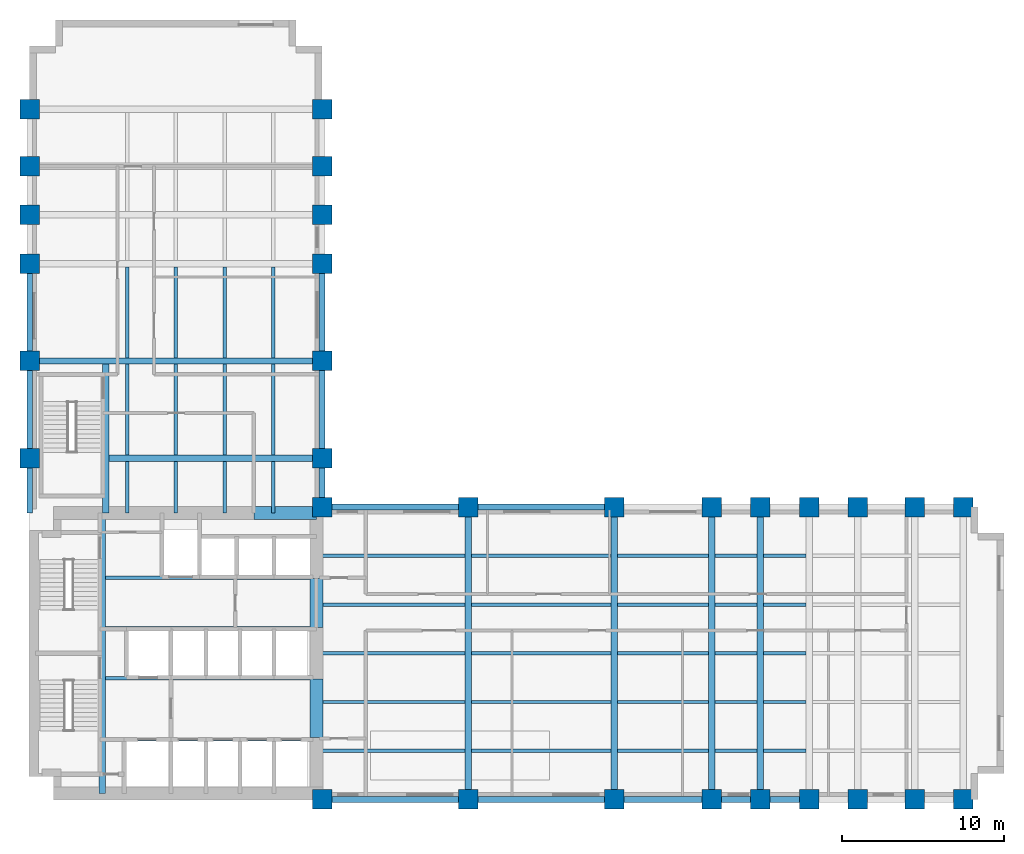
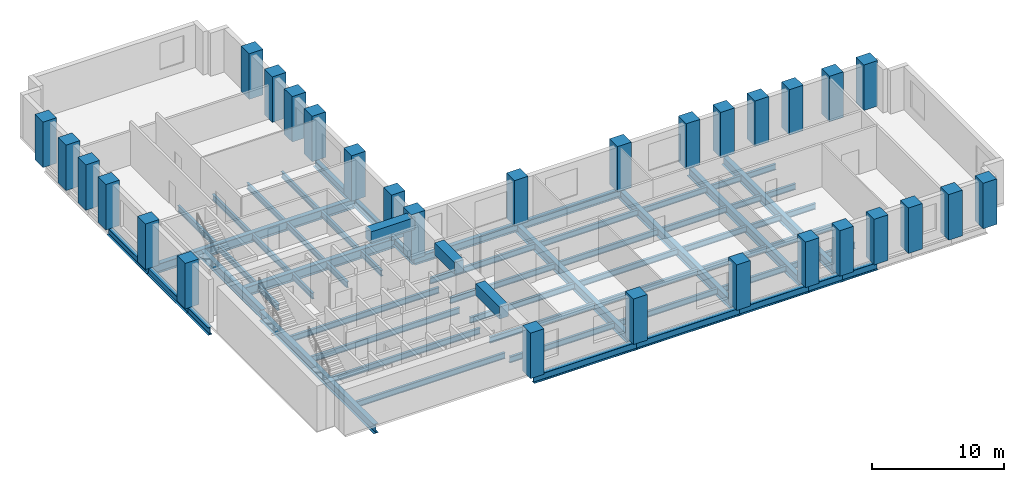
# One storey, part 1 of 7: 65 beams, 30 columns.
"""IFC4 building model written with IfcOpenShell, lengths in metres."""

from ifc_helpers import new_model, si_unit, direction, frame, origin, origin_2d, place, context, subcontext, project, spatial, rectangle, i_section, extrude, material, material_profile, profile_set, type_object, element, save


model = new_model("IFC4")

# Units and contexts
model_context = context("Model", 3, precision=1e-05, world=origin(), true_north=direction((0.0, 1.0)))
body_context = subcontext(model_context, "Body", "Model", "MODEL_VIEW")
ifc_project = project(units=[si_unit("LENGTHUNIT", "METRE"), si_unit("AREAUNIT", "SQUARE_METRE"), si_unit("VOLUMEUNIT", "CUBIC_METRE"), si_unit("PLANEANGLEUNIT", "RADIAN"), si_unit("MASSUNIT", "GRAM", prefix="KILO")], contexts=[model_context])

# Site, building, storey
site_placement = place(None, origin())
site = spatial("IfcSite", under=ifc_project, at=site_placement, CompositionType="ELEMENT")
building_placement = place(site_placement, origin())
building = spatial("IfcBuilding", under=site, at=building_placement, Name="Mawjdan Bourse Tower", CompositionType="ELEMENT")
storey_placement = place(building_placement, frame((0.0, 0.0, 42.60009765625)))
storey = spatial("IfcBuildingStorey", under=building, at=storey_placement, Name="L09", CompositionType="ELEMENT", Elevation=42.60009765625)

# Columns
ifc_material_1 = material(Name="Concrete C80/95", Category="concrete")
ifc_material_profile_1 = material_profile(ifc_material_1, rectangle(XDim=1.199951171875, YDim=1.199951171875, at=origin_2d()), Name="RC1200X1200")
ifc_profile_set_1 = profile_set([ifc_material_profile_1], Name="Concrete C80/95")
column_type = type_object("IfcColumnType", Name="COL-RC1200X1200", PredefinedType="COLUMN", material=ifc_profile_set_1)
for number, where, z_axis, x_axis, name in (
    (1, (24.0, 3.0, 0.0), (0.0, 0.0, 1.0), (1.0, 0.0, 0.0), "L09 Structural Column C-X240-Y30"),
    (2, (24.0, 21.0, 0.0), (0.0, 0.0, 1.0), (1.0, 0.0, 0.0), "L09 Structural Column C-X240-Y210"),
    (3, (33.0, 3.0, 0.0), (0.0, 0.0, 1.0), (1.0, 0.0, 0.0), "L09 Structural Column C-X330-Y30"),
    (4, (33.0, 21.0, 0.0), (0.0, 0.0, 1.0), (1.0, 0.0, 0.0), "L09 Structural Column C-X330-Y210"),
    (5, (42.0, 3.0, 0.0), (0.0, 0.0, 1.0), (1.0, 0.0, 0.0), "L09 Structural Column C-X420-Y30"),
    (6, (42.0, 21.0, 0.0), (0.0, 0.0, 1.0), (1.0, 0.0, 0.0), "L09 Structural Column C-X420-Y210"),
    (7, (48.0, 3.0, 0.0), (0.0, 0.0, 1.0), (1.0, 0.0, 0.0), "L09 Structural Column C-X480-Y30"),
    (8, (48.0, 21.0, 0.0), (0.0, 0.0, 1.0), (1.0, 0.0, 0.0), "L09 Structural Column C-X480-Y210"),
    (9, (51.0, 3.0, 0.0), (0.0, 0.0, 1.0), (1.0, 0.0, 0.0), "L09 Structural Column C-X510-Y30"),
    (10, (51.0, 21.0, 0.0), (0.0, 0.0, 1.0), (1.0, 0.0, 0.0), "L09 Structural Column C-X510-Y210"),
    (11, (54.0, 3.0, 0.0), (0.0, 0.0, 1.0), (1.0, 0.0, 0.0), "L09 Structural Column C-X540-Y30"),
    (12, (54.0, 21.0, 0.0), (0.0, 0.0, 1.0), (1.0, 0.0, 0.0), "L09 Structural Column C-X540-Y210"),
    (13, (57.0, 3.0, 0.0), (0.0, 0.0, 1.0), (1.0, 0.0, 0.0), "L09 Structural Column C-X570-Y30"),
    (14, (57.0, 21.0, 0.0), (0.0, 0.0, 1.0), (1.0, 0.0, 0.0), "L09 Structural Column C-X570-Y210"),
    (15, (60.5, 3.0, 0.0), (0.0, 0.0, 1.0), (1.0, 0.0, 0.0), "L09 Structural Column C-X605-Y30"),
    (16, (60.5, 21.0, 0.0), (0.0, 0.0, 1.0), (1.0, 0.0, 0.0), "L09 Structural Column C-X605-Y210"),
    (17, (63.5, 3.0, 0.0), (0.0, 0.0, 1.0), (1.0, 0.0, 0.0), "L09 Structural Column C-X635-Y30"),
    (18, (63.5, 21.0, 0.0), (0.0, 0.0, 1.0), (1.0, 0.0, 0.0), "L09 Structural Column C-X635-Y210"),
    (19, (6.0, 24.0, 0.0), (0.0, 0.0, 1.0), (1.0, 0.0, 0.0), "L09 Structural Column C-X60-Y240"),
    (20, (24.0, 24.0, 0.0), (0.0, 0.0, 1.0), (1.0, 0.0, 0.0), "L09 Structural Column C-X240-Y240"),
    (21, (6.0, 30.0, 0.0), (0.0, 0.0, 1.0), (1.0, 0.0, 0.0), "L09 Structural Column C-X60-Y300"),
    (22, (24.0, 30.0, 0.0), (0.0, 0.0, 1.0), (1.0, 0.0, 0.0), "L09 Structural Column C-X240-Y300"),
    (23, (6.0, 36.0, 0.0), (0.0, 0.0, 1.0), (1.0, 0.0, 0.0), "L09 Structural Column C-X60-Y360"),
    (24, (24.0, 36.0, 0.0), (0.0, 0.0, 1.0), (1.0, 0.0, 0.0), "L09 Structural Column C-X240-Y360"),
    (25, (6.0, 39.0, 0.0), (0.0, 0.0, 1.0), (1.0, 0.0, 0.0), "L09 Structural Column C-X60-Y390"),
    (26, (24.0, 39.0, 0.0), (0.0, 0.0, 1.0), (1.0, 0.0, 0.0), "L09 Structural Column C-X240-Y390"),
    (27, (6.0, 42.0, 0.0), (0.0, 0.0, 1.0), (1.0, 0.0, 0.0), "L09 Structural Column C-X60-Y420"),
    (28, (24.0, 42.0, 0.0), (0.0, 0.0, 1.0), (1.0, 0.0, 0.0), "L09 Structural Column C-X240-Y420"),
    (29, (6.0, 45.5, 0.0), (0.0, 0.0, 1.0), (1.0, 0.0, 0.0), "L09 Structural Column C-X60-Y455"),
    (30, (24.0, 45.5, 0.0), (0.0, 0.0, 1.0), (1.0, 0.0, 0.0), "L09 Structural Column C-X240-Y455"),
):
    element("IfcColumn", number, at=place(storey_placement, frame(where, z_axis=z_axis, x_axis=x_axis)), inside=storey, type_object=column_type, Name=name, PredefinedType="COLUMN", context=body_context, shape_type="SweptSolid", body=[
        extrude(rectangle(XDim=1.199951171875, YDim=1.199951171875, at=origin_2d()), origin(), (0.0, 0.0, 1.0), 4.199951171875),
    ])

# Beams
ifc_material_2 = material(Name="Structural Steel S355", Category="steel")
ifc_material_profile_2 = material_profile(ifc_material_2, i_section(OverallWidth=0.39892578125, OverallDepth=0.85595703125, WebThickness=0.018310546875, FlangeThickness=0.029296875, FilletRadius=0.0234375, at=origin_2d()), Name="W33X201")
ifc_profile_set_2 = profile_set([ifc_material_profile_2], Name="Structural Steel S355")
beam_type_1 = type_object("IfcBeamType", Name="GRD-W33X201", PredefinedType="BEAM", material=ifc_profile_set_2)
beam_1_placement = place(storey_placement, frame((10.47998046875, 3.35009765625, -0.648193359375), z_axis=(0.0, 1.0, 0.0), x_axis=(-1.0, 0.0, 0.0)))
element("IfcBeam", 31, at=beam_1_placement, inside=storey, type_object=beam_type_1, Name="L09 Core Stair Trimmer Girder 001", PredefinedType="BEAM", context=body_context, shape_type="SweptSolid", body=[
    extrude(i_section(OverallWidth=0.39892578125, OverallDepth=0.85595703125, WebThickness=0.018310546875, FlangeThickness=0.029296875, FilletRadius=0.0234375, at=origin_2d()), origin(), (0.0, 0.0, 1.0), 17.2998046875),
])
for number, where, z_axis, x_axis, name in (
    (32, (33.0, 3.0, -0.648193359375), (0.0, 1.0, 0.0), (-1.0, 0.0, 0.0), "L09 East Wing Clear-Span Girder 002"),
    (33, (42.0, 3.0, -0.648193359375), (0.0, 1.0, 0.0), (-1.0, 0.0, 0.0), "L09 East Wing Clear-Span Girder 003"),
    (34, (48.0, 3.0, -0.648193359375), (0.0, 1.0, 0.0), (-1.0, 0.0, 0.0), "L09 East Wing Clear-Span Girder 004"),
    (35, (51.0, 3.0, -0.648193359375), (0.0, 1.0, 0.0), (-1.0, 0.0, 0.0), "L09 East Wing Clear-Span Girder 005"),
):
    element("IfcBeam", number, at=place(storey_placement, frame(where, z_axis=z_axis, x_axis=x_axis)), inside=storey, type_object=beam_type_1, Name=name, PredefinedType="BEAM", context=body_context, shape_type="SweptSolid", body=[
        extrude(i_section(OverallWidth=0.39892578125, OverallDepth=0.85595703125, WebThickness=0.018310546875, FlangeThickness=0.029296875, FilletRadius=0.0234375, at=origin_2d()), origin(), (0.0, 0.0, 1.0), 18.0),
    ])
beam_2_placement = place(storey_placement, frame((10.679931640625, 20.64990234375, -0.648193359375), z_axis=(0.0, 1.0, 0.0), x_axis=(-1.0, 0.0, 0.0)))
element("IfcBeam", 36, at=beam_2_placement, inside=storey, type_object=beam_type_1, Name="L09 North Wing Stair Trimmer Girder 070", PredefinedType="BEAM", context=body_context, shape_type="SweptSolid", body=[
    extrude(i_section(OverallWidth=0.39892578125, OverallDepth=0.85595703125, WebThickness=0.018310546875, FlangeThickness=0.029296875, FilletRadius=0.0234375, at=origin_2d()), origin(), (0.0, 0.0, 1.0), 9.152587890625),
])
beam_3_placement = place(storey_placement, frame((10.87744140625, 24.0, -0.648193359375), z_axis=(1.0, 0.0, 0.0), x_axis=(0.0, 1.0, 0.0)))
element("IfcBeam", 37, at=beam_3_placement, inside=storey, type_object=beam_type_1, Name="L09 North Wing Clear-Span Girder 071", PredefinedType="BEAM", context=body_context, shape_type="SweptSolid", body=[
    extrude(i_section(OverallWidth=0.39892578125, OverallDepth=0.85595703125, WebThickness=0.018310546875, FlangeThickness=0.029296875, FilletRadius=0.0234375, at=origin_2d()), origin(), (0.0, 0.0, 1.0), 13.12255859375),
])
beam_4_placement = place(storey_placement, frame((6.0, 30.0, -0.648193359375), z_axis=(1.0, 0.0, 0.0), x_axis=(0.0, 1.0, 0.0)))
element("IfcBeam", 38, at=beam_4_placement, inside=storey, type_object=beam_type_1, Name="L09 North Wing Clear-Span Girder 072", PredefinedType="BEAM", context=body_context, shape_type="SweptSolid", body=[
    extrude(i_section(OverallWidth=0.39892578125, OverallDepth=0.85595703125, WebThickness=0.018310546875, FlangeThickness=0.029296875, FilletRadius=0.0234375, at=origin_2d()), origin(), (0.0, 0.0, 1.0), 18.0),
])
ifc_material_profile_3 = material_profile(ifc_material_2, i_section(OverallWidth=0.2119140625, OverallDepth=0.5439453125, WebThickness=0.01318359375, FlangeThickness=0.021240234375, FilletRadius=0.01708984375, at=origin_2d()), Name="W21X83")
ifc_profile_set_3 = profile_set([ifc_material_profile_3], Name="Structural Steel S355")
beam_type_2 = type_object("IfcBeamType", Name="JST-W21X83", PredefinedType="JOIST", material=ifc_profile_set_3)
beam_5_placement = place(storey_placement, frame((23.64990234375, 6.0, -0.4921875), z_axis=(1.0, 0.0, 0.0), x_axis=(0.0, 1.0, 0.0)))
element("IfcBeam", 39, at=beam_5_placement, inside=storey, type_object=beam_type_2, Name="L09 East Wing Composite Joist 026", PredefinedType="JOIST", context=body_context, shape_type="SweptSolid", body=[
    extrude(i_section(OverallWidth=0.2119140625, OverallDepth=0.5439453125, WebThickness=0.01318359375, FlangeThickness=0.021240234375, FilletRadius=0.01708984375, at=origin_2d()), origin(), (0.0, 0.0, 1.0), 9.152587890625),
])
beam_6_placement = place(storey_placement, frame((33.197509765625, 6.0, -0.4921875), z_axis=(1.0, 0.0, 0.0), x_axis=(0.0, 1.0, 0.0)))
element("IfcBeam", 40, at=beam_6_placement, inside=storey, type_object=beam_type_2, Name="L09 East Wing Composite Joist 027", PredefinedType="JOIST", context=body_context, shape_type="SweptSolid", body=[
    extrude(i_section(OverallWidth=0.2119140625, OverallDepth=0.5439453125, WebThickness=0.01318359375, FlangeThickness=0.021240234375, FilletRadius=0.01708984375, at=origin_2d()), origin(), (0.0, 0.0, 1.0), 8.60498046875),
])
beam_7_placement = place(storey_placement, frame((42.197509765625, 6.0, -0.4921875), z_axis=(1.0, 0.0, 0.0), x_axis=(0.0, 1.0, 0.0)))
element("IfcBeam", 41, at=beam_7_placement, inside=storey, type_object=beam_type_2, Name="L09 East Wing Composite Joist 028", PredefinedType="JOIST", context=body_context, shape_type="SweptSolid", body=[
    extrude(i_section(OverallWidth=0.2119140625, OverallDepth=0.5439453125, WebThickness=0.01318359375, FlangeThickness=0.021240234375, FilletRadius=0.01708984375, at=origin_2d()), origin(), (0.0, 0.0, 1.0), 5.60498046875),
])
for number, where, z_axis, x_axis, name in (
    (42, (48.197509765625, 6.0, -0.4921875), (1.0, 0.0, 0.0), (0.0, 1.0, 0.0), "L09 East Wing Composite Joist 029"),
    (43, (51.197509765625, 6.0, -0.4921875), (1.0, 0.0, 0.0), (0.0, 1.0, 0.0), "L09 East Wing Composite Joist 030"),
):
    element("IfcBeam", number, at=place(storey_placement, frame(where, z_axis=z_axis, x_axis=x_axis)), inside=storey, type_object=beam_type_2, Name=name, PredefinedType="JOIST", context=body_context, shape_type="SweptSolid", body=[
        extrude(i_section(OverallWidth=0.2119140625, OverallDepth=0.5439453125, WebThickness=0.01318359375, FlangeThickness=0.021240234375, FilletRadius=0.01708984375, at=origin_2d()), origin(), (0.0, 0.0, 1.0), 2.60498046875),
    ])
beam_8_placement = place(storey_placement, frame((23.64990234375, 9.0, -0.4921875), z_axis=(1.0, 0.0, 0.0), x_axis=(0.0, 1.0, 0.0)))
element("IfcBeam", 44, at=beam_8_placement, inside=storey, type_object=beam_type_2, Name="L09 East Wing Composite Joist 034", PredefinedType="JOIST", context=body_context, shape_type="SweptSolid", body=[
    extrude(i_section(OverallWidth=0.2119140625, OverallDepth=0.5439453125, WebThickness=0.01318359375, FlangeThickness=0.021240234375, FilletRadius=0.01708984375, at=origin_2d()), origin(), (0.0, 0.0, 1.0), 9.152587890625),
])
beam_9_placement = place(storey_placement, frame((33.197509765625, 9.0, -0.4921875), z_axis=(1.0, 0.0, 0.0), x_axis=(0.0, 1.0, 0.0)))
element("IfcBeam", 45, at=beam_9_placement, inside=storey, type_object=beam_type_2, Name="L09 East Wing Composite Joist 035", PredefinedType="JOIST", context=body_context, shape_type="SweptSolid", body=[
    extrude(i_section(OverallWidth=0.2119140625, OverallDepth=0.5439453125, WebThickness=0.01318359375, FlangeThickness=0.021240234375, FilletRadius=0.01708984375, at=origin_2d()), origin(), (0.0, 0.0, 1.0), 8.60498046875),
])
beam_10_placement = place(storey_placement, frame((42.197509765625, 9.0, -0.4921875), z_axis=(1.0, 0.0, 0.0), x_axis=(0.0, 1.0, 0.0)))
element("IfcBeam", 46, at=beam_10_placement, inside=storey, type_object=beam_type_2, Name="L09 East Wing Composite Joist 036", PredefinedType="JOIST", context=body_context, shape_type="SweptSolid", body=[
    extrude(i_section(OverallWidth=0.2119140625, OverallDepth=0.5439453125, WebThickness=0.01318359375, FlangeThickness=0.021240234375, FilletRadius=0.01708984375, at=origin_2d()), origin(), (0.0, 0.0, 1.0), 5.60498046875),
])
for number, where, z_axis, x_axis, name in (
    (47, (48.197509765625, 9.0, -0.4921875), (1.0, 0.0, 0.0), (0.0, 1.0, 0.0), "L09 East Wing Composite Joist 037"),
    (48, (51.197509765625, 9.0, -0.4921875), (1.0, 0.0, 0.0), (0.0, 1.0, 0.0), "L09 East Wing Composite Joist 038"),
):
    element("IfcBeam", number, at=place(storey_placement, frame(where, z_axis=z_axis, x_axis=x_axis)), inside=storey, type_object=beam_type_2, Name=name, PredefinedType="JOIST", context=body_context, shape_type="SweptSolid", body=[
        extrude(i_section(OverallWidth=0.2119140625, OverallDepth=0.5439453125, WebThickness=0.01318359375, FlangeThickness=0.021240234375, FilletRadius=0.01708984375, at=origin_2d()), origin(), (0.0, 0.0, 1.0), 2.60498046875),
    ])
beam_11_placement = place(storey_placement, frame((23.64990234375, 12.0, -0.4921875), z_axis=(1.0, 0.0, 0.0), x_axis=(0.0, 1.0, 0.0)))
element("IfcBeam", 49, at=beam_11_placement, inside=storey, type_object=beam_type_2, Name="L09 East Wing Composite Joist 042", PredefinedType="JOIST", context=body_context, shape_type="SweptSolid", body=[
    extrude(i_section(OverallWidth=0.2119140625, OverallDepth=0.5439453125, WebThickness=0.01318359375, FlangeThickness=0.021240234375, FilletRadius=0.01708984375, at=origin_2d()), origin(), (0.0, 0.0, 1.0), 9.152587890625),
])
beam_12_placement = place(storey_placement, frame((33.197509765625, 12.0, -0.4921875), z_axis=(1.0, 0.0, 0.0), x_axis=(0.0, 1.0, 0.0)))
element("IfcBeam", 50, at=beam_12_placement, inside=storey, type_object=beam_type_2, Name="L09 East Wing Composite Joist 043", PredefinedType="JOIST", context=body_context, shape_type="SweptSolid", body=[
    extrude(i_section(OverallWidth=0.2119140625, OverallDepth=0.5439453125, WebThickness=0.01318359375, FlangeThickness=0.021240234375, FilletRadius=0.01708984375, at=origin_2d()), origin(), (0.0, 0.0, 1.0), 8.60498046875),
])
beam_13_placement = place(storey_placement, frame((42.197509765625, 12.0, -0.4921875), z_axis=(1.0, 0.0, 0.0), x_axis=(0.0, 1.0, 0.0)))
element("IfcBeam", 51, at=beam_13_placement, inside=storey, type_object=beam_type_2, Name="L09 East Wing Composite Joist 044", PredefinedType="JOIST", context=body_context, shape_type="SweptSolid", body=[
    extrude(i_section(OverallWidth=0.2119140625, OverallDepth=0.5439453125, WebThickness=0.01318359375, FlangeThickness=0.021240234375, FilletRadius=0.01708984375, at=origin_2d()), origin(), (0.0, 0.0, 1.0), 5.60498046875),
])
for number, where, z_axis, x_axis, name in (
    (52, (48.197509765625, 12.0, -0.4921875), (1.0, 0.0, 0.0), (0.0, 1.0, 0.0), "L09 East Wing Composite Joist 045"),
    (53, (51.197509765625, 12.0, -0.4921875), (1.0, 0.0, 0.0), (0.0, 1.0, 0.0), "L09 East Wing Composite Joist 046"),
):
    element("IfcBeam", number, at=place(storey_placement, frame(where, z_axis=z_axis, x_axis=x_axis)), inside=storey, type_object=beam_type_2, Name=name, PredefinedType="JOIST", context=body_context, shape_type="SweptSolid", body=[
        extrude(i_section(OverallWidth=0.2119140625, OverallDepth=0.5439453125, WebThickness=0.01318359375, FlangeThickness=0.021240234375, FilletRadius=0.01708984375, at=origin_2d()), origin(), (0.0, 0.0, 1.0), 2.60498046875),
    ])
beam_14_placement = place(storey_placement, frame((23.64990234375, 15.0, -0.4921875), z_axis=(1.0, 0.0, 0.0), x_axis=(0.0, 1.0, 0.0)))
element("IfcBeam", 54, at=beam_14_placement, inside=storey, type_object=beam_type_2, Name="L09 East Wing Composite Joist 050", PredefinedType="JOIST", context=body_context, shape_type="SweptSolid", body=[
    extrude(i_section(OverallWidth=0.2119140625, OverallDepth=0.5439453125, WebThickness=0.01318359375, FlangeThickness=0.021240234375, FilletRadius=0.01708984375, at=origin_2d()), origin(), (0.0, 0.0, 1.0), 9.152587890625),
])
beam_15_placement = place(storey_placement, frame((33.197509765625, 15.0, -0.4921875), z_axis=(1.0, 0.0, 0.0), x_axis=(0.0, 1.0, 0.0)))
element("IfcBeam", 55, at=beam_15_placement, inside=storey, type_object=beam_type_2, Name="L09 East Wing Composite Joist 051", PredefinedType="JOIST", context=body_context, shape_type="SweptSolid", body=[
    extrude(i_section(OverallWidth=0.2119140625, OverallDepth=0.5439453125, WebThickness=0.01318359375, FlangeThickness=0.021240234375, FilletRadius=0.01708984375, at=origin_2d()), origin(), (0.0, 0.0, 1.0), 8.60498046875),
])
beam_16_placement = place(storey_placement, frame((42.197509765625, 15.0, -0.4921875), z_axis=(1.0, 0.0, 0.0), x_axis=(0.0, 1.0, 0.0)))
element("IfcBeam", 56, at=beam_16_placement, inside=storey, type_object=beam_type_2, Name="L09 East Wing Composite Joist 052", PredefinedType="JOIST", context=body_context, shape_type="SweptSolid", body=[
    extrude(i_section(OverallWidth=0.2119140625, OverallDepth=0.5439453125, WebThickness=0.01318359375, FlangeThickness=0.021240234375, FilletRadius=0.01708984375, at=origin_2d()), origin(), (0.0, 0.0, 1.0), 5.60498046875),
])
for number, where, z_axis, x_axis, name in (
    (57, (48.197509765625, 15.0, -0.4921875), (1.0, 0.0, 0.0), (0.0, 1.0, 0.0), "L09 East Wing Composite Joist 053"),
    (58, (51.197509765625, 15.0, -0.4921875), (1.0, 0.0, 0.0), (0.0, 1.0, 0.0), "L09 East Wing Composite Joist 054"),
):
    element("IfcBeam", number, at=place(storey_placement, frame(where, z_axis=z_axis, x_axis=x_axis)), inside=storey, type_object=beam_type_2, Name=name, PredefinedType="JOIST", context=body_context, shape_type="SweptSolid", body=[
        extrude(i_section(OverallWidth=0.2119140625, OverallDepth=0.5439453125, WebThickness=0.01318359375, FlangeThickness=0.021240234375, FilletRadius=0.01708984375, at=origin_2d()), origin(), (0.0, 0.0, 1.0), 2.60498046875),
    ])
beam_17_placement = place(storey_placement, frame((23.64990234375, 18.0, -0.4921875), z_axis=(1.0, 0.0, 0.0), x_axis=(0.0, 1.0, 0.0)))
element("IfcBeam", 59, at=beam_17_placement, inside=storey, type_object=beam_type_2, Name="L09 East Wing Composite Joist 058", PredefinedType="JOIST", context=body_context, shape_type="SweptSolid", body=[
    extrude(i_section(OverallWidth=0.2119140625, OverallDepth=0.5439453125, WebThickness=0.01318359375, FlangeThickness=0.021240234375, FilletRadius=0.01708984375, at=origin_2d()), origin(), (0.0, 0.0, 1.0), 9.152587890625),
])
beam_18_placement = place(storey_placement, frame((33.197509765625, 18.0, -0.4921875), z_axis=(1.0, 0.0, 0.0), x_axis=(0.0, 1.0, 0.0)))
element("IfcBeam", 60, at=beam_18_placement, inside=storey, type_object=beam_type_2, Name="L09 East Wing Composite Joist 059", PredefinedType="JOIST", context=body_context, shape_type="SweptSolid", body=[
    extrude(i_section(OverallWidth=0.2119140625, OverallDepth=0.5439453125, WebThickness=0.01318359375, FlangeThickness=0.021240234375, FilletRadius=0.01708984375, at=origin_2d()), origin(), (0.0, 0.0, 1.0), 8.60498046875),
])
beam_19_placement = place(storey_placement, frame((42.197509765625, 18.0, -0.4921875), z_axis=(1.0, 0.0, 0.0), x_axis=(0.0, 1.0, 0.0)))
element("IfcBeam", 61, at=beam_19_placement, inside=storey, type_object=beam_type_2, Name="L09 East Wing Composite Joist 060", PredefinedType="JOIST", context=body_context, shape_type="SweptSolid", body=[
    extrude(i_section(OverallWidth=0.2119140625, OverallDepth=0.5439453125, WebThickness=0.01318359375, FlangeThickness=0.021240234375, FilletRadius=0.01708984375, at=origin_2d()), origin(), (0.0, 0.0, 1.0), 5.60498046875),
])
for number, where, z_axis, x_axis, name in (
    (62, (48.197509765625, 18.0, -0.4921875), (1.0, 0.0, 0.0), (0.0, 1.0, 0.0), "L09 East Wing Composite Joist 061"),
    (63, (51.197509765625, 18.0, -0.4921875), (1.0, 0.0, 0.0), (0.0, 1.0, 0.0), "L09 East Wing Composite Joist 062"),
):
    element("IfcBeam", number, at=place(storey_placement, frame(where, z_axis=z_axis, x_axis=x_axis)), inside=storey, type_object=beam_type_2, Name=name, PredefinedType="JOIST", context=body_context, shape_type="SweptSolid", body=[
        extrude(i_section(OverallWidth=0.2119140625, OverallDepth=0.5439453125, WebThickness=0.01318359375, FlangeThickness=0.021240234375, FilletRadius=0.01708984375, at=origin_2d()), origin(), (0.0, 0.0, 1.0), 2.60498046875),
    ])
for number, where, z_axis, x_axis, name in (
    (64, (10.677490234375, 6.699951171875, -0.4921875), (1.0, 0.0, 0.0), (0.0, 1.0, 0.0), "L09 Core Floor Joist 066"),
    (65, (10.677490234375, 10.449951171875, -0.4921875), (1.0, 0.0, 0.0), (0.0, 1.0, 0.0), "L09 Core Floor Joist 067"),
    (66, (10.677490234375, 13.550048828125, -0.4921875), (1.0, 0.0, 0.0), (0.0, 1.0, 0.0), "L09 Core Floor Joist 068"),
    (67, (10.677490234375, 16.64990234375, -0.4921875), (1.0, 0.0, 0.0), (0.0, 1.0, 0.0), "L09 Core Floor Joist 069"),
):
    element("IfcBeam", number, at=place(storey_placement, frame(where, z_axis=z_axis, x_axis=x_axis)), inside=storey, type_object=beam_type_2, Name=name, PredefinedType="JOIST", context=body_context, shape_type="SweptSolid", body=[
        extrude(i_section(OverallWidth=0.2119140625, OverallDepth=0.5439453125, WebThickness=0.01318359375, FlangeThickness=0.021240234375, FilletRadius=0.01708984375, at=origin_2d()), origin(), (0.0, 0.0, 1.0), 12.972412109375),
    ])
beam_20_placement = place(storey_placement, frame((12.0, 20.64990234375, -0.4921875), z_axis=(0.0, 1.0, 0.0), x_axis=(-1.0, 0.0, 0.0)))
element("IfcBeam", 68, at=beam_20_placement, inside=storey, type_object=beam_type_2, Name="L09 North Wing Composite Joist 089", PredefinedType="JOIST", context=body_context, shape_type="SweptSolid", body=[
    extrude(i_section(OverallWidth=0.2119140625, OverallDepth=0.5439453125, WebThickness=0.01318359375, FlangeThickness=0.021240234375, FilletRadius=0.01708984375, at=origin_2d()), origin(), (0.0, 0.0, 1.0), 3.152587890625),
])
for number, where, z_axis, x_axis, name in (
    (69, (12.0, 24.197509765625, -0.4921875), (0.0, 1.0, 0.0), (-1.0, 0.0, 0.0), "L09 North Wing Composite Joist 090"),
    (70, (12.0, 30.197509765625, -0.4921875), (0.0, 1.0, 0.0), (-1.0, 0.0, 0.0), "L09 North Wing Composite Joist 091"),
):
    element("IfcBeam", number, at=place(storey_placement, frame(where, z_axis=z_axis, x_axis=x_axis)), inside=storey, type_object=beam_type_2, Name=name, PredefinedType="JOIST", context=body_context, shape_type="SweptSolid", body=[
        extrude(i_section(OverallWidth=0.2119140625, OverallDepth=0.5439453125, WebThickness=0.01318359375, FlangeThickness=0.021240234375, FilletRadius=0.01708984375, at=origin_2d()), origin(), (0.0, 0.0, 1.0), 5.60498046875),
    ])
beam_21_placement = place(storey_placement, frame((15.0, 20.64990234375, -0.4921875), z_axis=(0.0, 1.0, 0.0), x_axis=(-1.0, 0.0, 0.0)))
element("IfcBeam", 71, at=beam_21_placement, inside=storey, type_object=beam_type_2, Name="L09 North Wing Composite Joist 095", PredefinedType="JOIST", context=body_context, shape_type="SweptSolid", body=[
    extrude(i_section(OverallWidth=0.2119140625, OverallDepth=0.5439453125, WebThickness=0.01318359375, FlangeThickness=0.021240234375, FilletRadius=0.01708984375, at=origin_2d()), origin(), (0.0, 0.0, 1.0), 3.152587890625),
])
for number, where, z_axis, x_axis, name in (
    (72, (15.0, 24.197509765625, -0.4921875), (0.0, 1.0, 0.0), (-1.0, 0.0, 0.0), "L09 North Wing Composite Joist 096"),
    (73, (15.0, 30.197509765625, -0.4921875), (0.0, 1.0, 0.0), (-1.0, 0.0, 0.0), "L09 North Wing Composite Joist 097"),
):
    element("IfcBeam", number, at=place(storey_placement, frame(where, z_axis=z_axis, x_axis=x_axis)), inside=storey, type_object=beam_type_2, Name=name, PredefinedType="JOIST", context=body_context, shape_type="SweptSolid", body=[
        extrude(i_section(OverallWidth=0.2119140625, OverallDepth=0.5439453125, WebThickness=0.01318359375, FlangeThickness=0.021240234375, FilletRadius=0.01708984375, at=origin_2d()), origin(), (0.0, 0.0, 1.0), 5.60498046875),
    ])
beam_22_placement = place(storey_placement, frame((18.0, 20.64990234375, -0.4921875), z_axis=(0.0, 1.0, 0.0), x_axis=(-1.0, 0.0, 0.0)))
element("IfcBeam", 74, at=beam_22_placement, inside=storey, type_object=beam_type_2, Name="L09 North Wing Composite Joist 101", PredefinedType="JOIST", context=body_context, shape_type="SweptSolid", body=[
    extrude(i_section(OverallWidth=0.2119140625, OverallDepth=0.5439453125, WebThickness=0.01318359375, FlangeThickness=0.021240234375, FilletRadius=0.01708984375, at=origin_2d()), origin(), (0.0, 0.0, 1.0), 3.152587890625),
])
for number, where, z_axis, x_axis, name in (
    (75, (18.0, 24.197509765625, -0.4921875), (0.0, 1.0, 0.0), (-1.0, 0.0, 0.0), "L09 North Wing Composite Joist 102"),
    (76, (18.0, 30.197509765625, -0.4921875), (0.0, 1.0, 0.0), (-1.0, 0.0, 0.0), "L09 North Wing Composite Joist 103"),
):
    element("IfcBeam", number, at=place(storey_placement, frame(where, z_axis=z_axis, x_axis=x_axis)), inside=storey, type_object=beam_type_2, Name=name, PredefinedType="JOIST", context=body_context, shape_type="SweptSolid", body=[
        extrude(i_section(OverallWidth=0.2119140625, OverallDepth=0.5439453125, WebThickness=0.01318359375, FlangeThickness=0.021240234375, FilletRadius=0.01708984375, at=origin_2d()), origin(), (0.0, 0.0, 1.0), 5.60498046875),
    ])
beam_23_placement = place(storey_placement, frame((21.0, 20.64990234375, -0.4921875), z_axis=(0.0, 1.0, 0.0), x_axis=(-1.0, 0.0, 0.0)))
element("IfcBeam", 77, at=beam_23_placement, inside=storey, type_object=beam_type_2, Name="L09 North Wing Composite Joist 107", PredefinedType="JOIST", context=body_context, shape_type="SweptSolid", body=[
    extrude(i_section(OverallWidth=0.2119140625, OverallDepth=0.5439453125, WebThickness=0.01318359375, FlangeThickness=0.021240234375, FilletRadius=0.01708984375, at=origin_2d()), origin(), (0.0, 0.0, 1.0), 3.152587890625),
])
for number, where, z_axis, x_axis, name in (
    (78, (21.0, 24.197509765625, -0.4921875), (0.0, 1.0, 0.0), (-1.0, 0.0, 0.0), "L09 North Wing Composite Joist 108"),
    (79, (21.0, 30.197509765625, -0.4921875), (0.0, 1.0, 0.0), (-1.0, 0.0, 0.0), "L09 North Wing Composite Joist 109"),
):
    element("IfcBeam", number, at=place(storey_placement, frame(where, z_axis=z_axis, x_axis=x_axis)), inside=storey, type_object=beam_type_2, Name=name, PredefinedType="JOIST", context=body_context, shape_type="SweptSolid", body=[
        extrude(i_section(OverallWidth=0.2119140625, OverallDepth=0.5439453125, WebThickness=0.01318359375, FlangeThickness=0.021240234375, FilletRadius=0.01708984375, at=origin_2d()), origin(), (0.0, 0.0, 1.0), 5.60498046875),
    ])
ifc_material_3 = material(Name="Concrete C70/85", Category="concrete")
ifc_material_profile_4 = material_profile(ifc_material_3, rectangle(XDim=0.800048828125, YDim=1.10009765625, at=origin_2d()), Name="RCB800X1100")
ifc_profile_set_4 = profile_set([ifc_material_profile_4], Name="Concrete C70/85")
beam_type_3 = type_object("IfcBeamType", Name="LNT-RCB800X1100", PredefinedType="LINTEL", material=ifc_profile_set_4)
beam_24_placement = place(storey_placement, frame((23.64990234375, 6.800048828125, 3.429931640625), z_axis=(0.0, 1.0, 0.0), x_axis=(-1.0, 0.0, 0.0)))
element("IfcBeam", 80, at=beam_24_placement, inside=storey, type_object=beam_type_3, Name="L09 Coupled Core Lintel CB-E1", PredefinedType="LINTEL", context=body_context, shape_type="SweptSolid", body=[
    extrude(rectangle(XDim=0.800048828125, YDim=1.10009765625, at=origin_2d()), origin(), (0.0, 0.0, 1.0), 3.599853515625),
])
beam_25_placement = place(storey_placement, frame((23.64990234375, 13.60009765625, 3.429931640625), z_axis=(0.0, 1.0, 0.0), x_axis=(-1.0, 0.0, 0.0)))
element("IfcBeam", 81, at=beam_25_placement, inside=storey, type_object=beam_type_3, Name="L09 Coupled Core Lintel CB-E2", PredefinedType="LINTEL", context=body_context, shape_type="SweptSolid", body=[
    extrude(rectangle(XDim=0.800048828125, YDim=1.10009765625, at=origin_2d()), origin(), (0.0, 0.0, 1.0), 3.0),
])
beam_26_placement = place(storey_placement, frame((19.800048828125, 20.64990234375, 3.429931640625), z_axis=(1.0, 0.0, 0.0), x_axis=(0.0, 1.0, 0.0)))
element("IfcBeam", 82, at=beam_26_placement, inside=storey, type_object=beam_type_3, Name="L09 Coupled Core Lintel CB-N1", PredefinedType="LINTEL", context=body_context, shape_type="SweptSolid", body=[
    extrude(rectangle(XDim=0.800048828125, YDim=1.10009765625, at=origin_2d()), origin(), (0.0, 0.0, 1.0), 3.849853515625),
])
ifc_material_profile_5 = material_profile(ifc_material_2, i_section(OverallWidth=0.35498046875, OverallDepth=0.696044921875, WebThickness=0.015380859375, FlangeThickness=0.02490234375, FilletRadius=0.019775390625, at=origin_2d()), Name="W27X146")
ifc_profile_set_5 = profile_set([ifc_material_profile_5], Name="Structural Steel S355")
beam_type_4 = type_object("IfcBeamType", Name="SPN-W27X146", PredefinedType="SPANDREL", material=ifc_profile_set_5)
for number, where, z_axis, x_axis, name in (
    (83, (24.0, 3.0, -0.568115234375), (1.0, 0.0, 0.0), (0.0, 1.0, 0.0), "L09 Perimeter Masonry-Shelf Spandrel 010"),
    (84, (33.0, 3.0, -0.568115234375), (1.0, 0.0, 0.0), (0.0, 1.0, 0.0), "L09 Perimeter Masonry-Shelf Spandrel 011"),
):
    element("IfcBeam", number, at=place(storey_placement, frame(where, z_axis=z_axis, x_axis=x_axis)), inside=storey, type_object=beam_type_4, Name=name, PredefinedType="SPANDREL", context=body_context, shape_type="SweptSolid", body=[
        extrude(i_section(OverallWidth=0.35498046875, OverallDepth=0.696044921875, WebThickness=0.015380859375, FlangeThickness=0.02490234375, FilletRadius=0.019775390625, at=origin_2d()), origin(), (0.0, 0.0, 1.0), 9.0),
    ])
beam_27_placement = place(storey_placement, frame((42.0, 3.0, -0.568115234375), z_axis=(1.0, 0.0, 0.0), x_axis=(0.0, 1.0, 0.0)))
element("IfcBeam", 85, at=beam_27_placement, inside=storey, type_object=beam_type_4, Name="L09 Perimeter Masonry-Shelf Spandrel 012", PredefinedType="SPANDREL", context=body_context, shape_type="SweptSolid", body=[
    extrude(i_section(OverallWidth=0.35498046875, OverallDepth=0.696044921875, WebThickness=0.015380859375, FlangeThickness=0.02490234375, FilletRadius=0.019775390625, at=origin_2d()), origin(), (0.0, 0.0, 1.0), 6.0),
])
for number, where, z_axis, x_axis, name in (
    (86, (48.0, 3.0, -0.568115234375), (1.0, 0.0, 0.0), (0.0, 1.0, 0.0), "L09 Perimeter Masonry-Shelf Spandrel 013"),
    (87, (51.0, 3.0, -0.568115234375), (1.0, 0.0, 0.0), (0.0, 1.0, 0.0), "L09 Perimeter Masonry-Shelf Spandrel 014"),
):
    element("IfcBeam", number, at=place(storey_placement, frame(where, z_axis=z_axis, x_axis=x_axis)), inside=storey, type_object=beam_type_4, Name=name, PredefinedType="SPANDREL", context=body_context, shape_type="SweptSolid", body=[
        extrude(i_section(OverallWidth=0.35498046875, OverallDepth=0.696044921875, WebThickness=0.015380859375, FlangeThickness=0.02490234375, FilletRadius=0.019775390625, at=origin_2d()), origin(), (0.0, 0.0, 1.0), 3.0),
    ])
for number, where, z_axis, x_axis, name in (
    (88, (24.0, 21.0, -0.568115234375), (1.0, 0.0, 0.0), (0.0, 1.0, 0.0), "L09 Perimeter Masonry-Shelf Spandrel 018"),
    (89, (33.0, 21.0, -0.568115234375), (1.0, 0.0, 0.0), (0.0, 1.0, 0.0), "L09 Perimeter Masonry-Shelf Spandrel 019"),
):
    element("IfcBeam", number, at=place(storey_placement, frame(where, z_axis=z_axis, x_axis=x_axis)), inside=storey, type_object=beam_type_4, Name=name, PredefinedType="SPANDREL", context=body_context, shape_type="SweptSolid", body=[
        extrude(i_section(OverallWidth=0.35498046875, OverallDepth=0.696044921875, WebThickness=0.015380859375, FlangeThickness=0.02490234375, FilletRadius=0.019775390625, at=origin_2d()), origin(), (0.0, 0.0, 1.0), 9.0),
    ])
beam_28_placement = place(storey_placement, frame((6.0, 20.64990234375, -0.568115234375), z_axis=(0.0, 1.0, 0.0), x_axis=(-1.0, 0.0, 0.0)))
element("IfcBeam", 90, at=beam_28_placement, inside=storey, type_object=beam_type_4, Name="L09 North Wing Spandrel 077", PredefinedType="SPANDREL", context=body_context, shape_type="SweptSolid", body=[
    extrude(i_section(OverallWidth=0.35498046875, OverallDepth=0.696044921875, WebThickness=0.015380859375, FlangeThickness=0.02490234375, FilletRadius=0.019775390625, at=origin_2d()), origin(), (0.0, 0.0, 1.0), 3.35009765625),
])
for number, where, z_axis, x_axis, name in (
    (91, (6.0, 24.0, -0.568115234375), (0.0, 1.0, 0.0), (-1.0, 0.0, 0.0), "L09 North Wing Spandrel 078"),
    (92, (6.0, 30.0, -0.568115234375), (0.0, 1.0, 0.0), (-1.0, 0.0, 0.0), "L09 North Wing Spandrel 079"),
):
    element("IfcBeam", number, at=place(storey_placement, frame(where, z_axis=z_axis, x_axis=x_axis)), inside=storey, type_object=beam_type_4, Name=name, PredefinedType="SPANDREL", context=body_context, shape_type="SweptSolid", body=[
        extrude(i_section(OverallWidth=0.35498046875, OverallDepth=0.696044921875, WebThickness=0.015380859375, FlangeThickness=0.02490234375, FilletRadius=0.019775390625, at=origin_2d()), origin(), (0.0, 0.0, 1.0), 6.0),
    ])
beam_29_placement = place(storey_placement, frame((24.0, 21.0, -0.568115234375), z_axis=(0.0, 1.0, 0.0), x_axis=(-1.0, 0.0, 0.0)))
element("IfcBeam", 93, at=beam_29_placement, inside=storey, type_object=beam_type_4, Name="L09 North Wing Spandrel 083", PredefinedType="SPANDREL", context=body_context, shape_type="SweptSolid", body=[
    extrude(i_section(OverallWidth=0.35498046875, OverallDepth=0.696044921875, WebThickness=0.015380859375, FlangeThickness=0.02490234375, FilletRadius=0.019775390625, at=origin_2d()), origin(), (0.0, 0.0, 1.0), 3.0),
])
for number, where, z_axis, x_axis, name in (
    (94, (24.0, 24.0, -0.568115234375), (0.0, 1.0, 0.0), (-1.0, 0.0, 0.0), "L09 North Wing Spandrel 084"),
    (95, (24.0, 30.0, -0.568115234375), (0.0, 1.0, 0.0), (-1.0, 0.0, 0.0), "L09 North Wing Spandrel 085"),
):
    element("IfcBeam", number, at=place(storey_placement, frame(where, z_axis=z_axis, x_axis=x_axis)), inside=storey, type_object=beam_type_4, Name=name, PredefinedType="SPANDREL", context=body_context, shape_type="SweptSolid", body=[
        extrude(i_section(OverallWidth=0.35498046875, OverallDepth=0.696044921875, WebThickness=0.015380859375, FlangeThickness=0.02490234375, FilletRadius=0.019775390625, at=origin_2d()), origin(), (0.0, 0.0, 1.0), 6.0),
    ])

save(model, "model.ifc")
